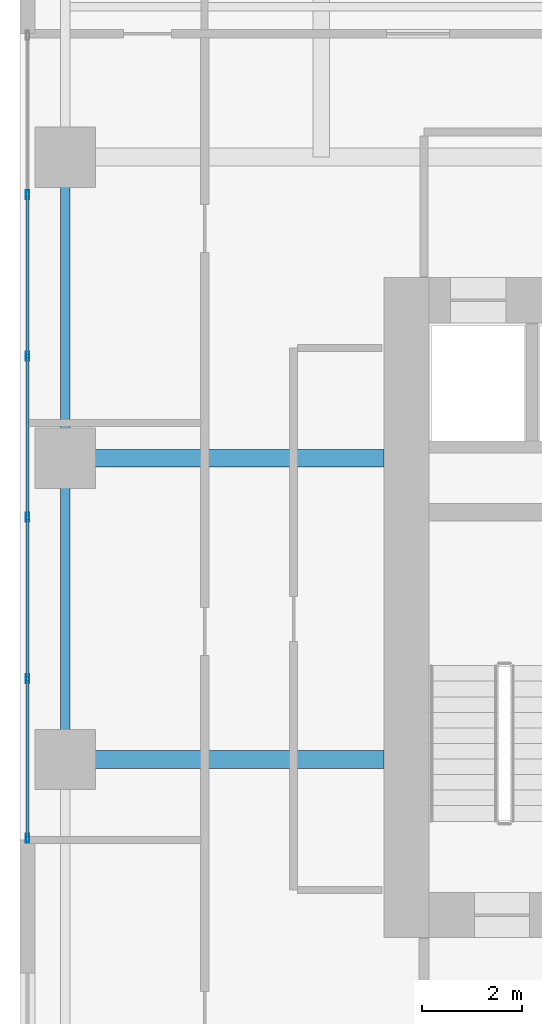
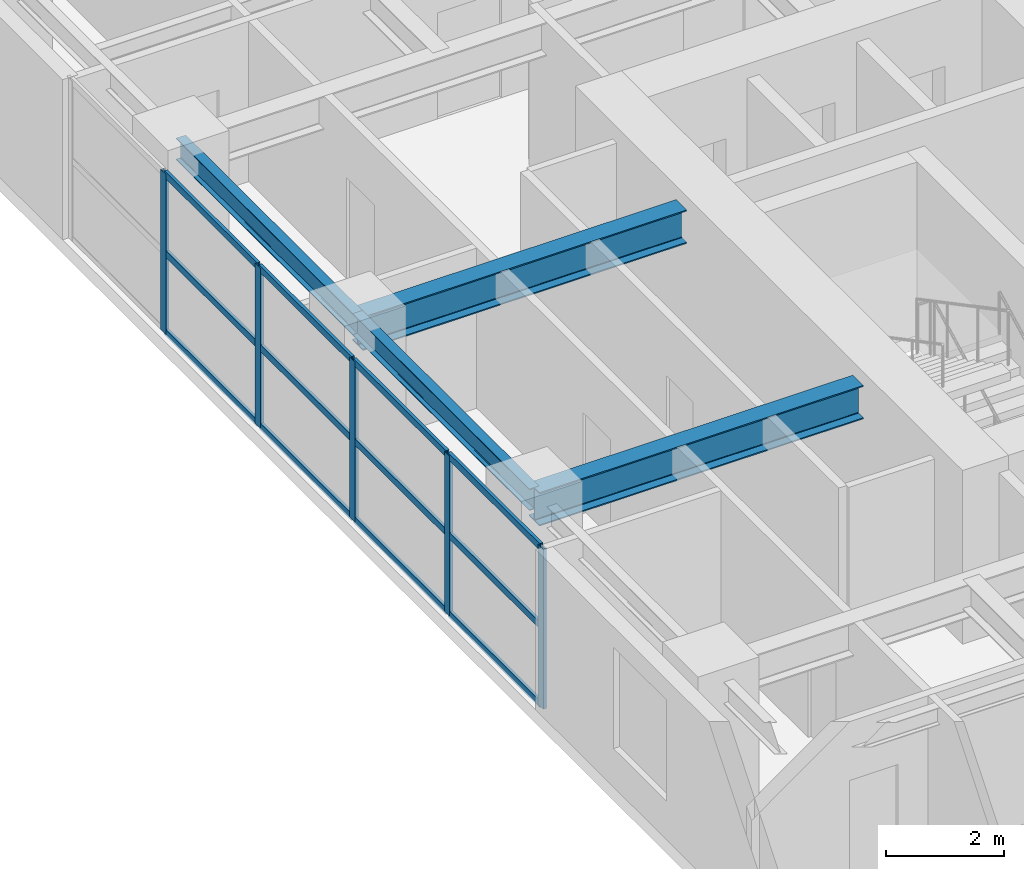
# One storey, part 5 of 24: 17 members, 4 beams, 1 element without a shape of its own.
"""IFC4 building model written with IfcOpenShell, lengths in metres."""

import ifcopenshell
import ifcopenshell.guid

model = None  # the IFC model being written
_history = None  # IfcOwnerHistory: only IFC2X3 demands one
_inside = {}  # id of a spatial element -> (the spatial element, [elements in it])
_under = {}  # id of a project, library or spatial element -> (it, [spatial elements below it])
_declared = {}  # id of a project -> (the project, [libraries it declares])
_typed = {}  # id of a type object -> (the type object, [elements of that type])
_made_of = {}  # id of a material, layer set ... -> (it, [elements and type objects made of it])


def new_model(schema):
    """Start an empty IFC model of exactly this schema.

    Asked for "IFC4X3", IfcOpenShell would pick the latest addendum, in which some entities
    have other attributes; the version numbers below select the first issue.
    IFC2X3 requires an IfcOwnerHistory on every rooted entity: one is made here for all.
    """
    global model, _history
    if schema == "IFC4X3":
        model = ifcopenshell.file(schema_version=(4, 3, 0, 0))
    else:
        model = ifcopenshell.file(schema=schema)
    _inside.clear()
    _under.clear()
    _declared.clear()
    _typed.clear()
    _made_of.clear()
    _history = None
    if model.schema == "IFC2X3":
        org = make("IfcOrganization", Name="unknown")
        user = make(
            "IfcPersonAndOrganization",
            ThePerson=make("IfcPerson", FamilyName="unknown"),
            TheOrganization=org,
        )
        app = make(
            "IfcApplication",
            ApplicationDeveloper=org,
            Version="unknown",
            ApplicationFullName="unknown",
            ApplicationIdentifier="unknown",
        )
        _history = make(
            "IfcOwnerHistory",
            OwningUser=user,
            OwningApplication=app,
            ChangeAction="ADDED",
            CreationDate=0,
        )
    return model


def make(cls, **values):
    """One entity of the class cls with the attributes given. An attribute that is None is left unset."""
    return model.create_entity(
        cls, **{name: value for name, value in values.items() if value is not None}
    )


def rooted(cls, **values):
    """An entity with a GlobalId (a new one), such as an element, a storey or a relation."""
    return make(cls, GlobalId=ifcopenshell.guid.new(), OwnerHistory=_history, **values)


def si_unit(unit_type, name, prefix=None):
    """IfcSIUnit, for example si_unit("LENGTHUNIT", "METRE", prefix="MILLI")."""
    return make("IfcSIUnit", UnitType=unit_type, Prefix=prefix, Name=name)


def assignment(units):
    """IfcUnitAssignment: the units of a project."""
    return None if units is None else make("IfcUnitAssignment", Units=units)


def point(xyz):
    """IfcCartesianPoint."""
    return None if xyz is None else make("IfcCartesianPoint", Coordinates=xyz)


def direction(xyz):
    """IfcDirection."""
    return None if xyz is None else make("IfcDirection", DirectionRatios=xyz)


def frame(location, z_axis=None, x_axis=None):
    """IfcAxis2Placement3D, a coordinate frame: its origin and axes. An axis left out is left unset."""
    return make(
        "IfcAxis2Placement3D",
        Location=point(location),
        Axis=direction(z_axis),
        RefDirection=direction(x_axis),
    )


def frame_2d(location, x_axis=None):
    """IfcAxis2Placement2D, a coordinate frame in the plane: its origin and x axis."""
    return make(
        "IfcAxis2Placement2D", Location=point(location), RefDirection=direction(x_axis)
    )


def origin():
    """The frame at (0, 0, 0) with its axes left unset."""
    return frame((0.0, 0.0, 0.0))


def origin_2d():
    """The frame at (0, 0) in the plane with its x axis left unset."""
    return frame_2d((0.0, 0.0))


def place(relative_to, where):
    """IfcLocalPlacement: puts the frame where relative to a parent placement (None: the world)."""
    return make(
        "IfcLocalPlacement", PlacementRelTo=relative_to, RelativePlacement=where
    )


def context(
    kind, dimensions, precision=None, world=None, true_north=None, identifier=None
):
    """IfcGeometricRepresentationContext, for example the 3D "Model" context."""
    return make(
        "IfcGeometricRepresentationContext",
        ContextIdentifier=identifier,
        ContextType=kind,
        CoordinateSpaceDimension=dimensions,
        Precision=precision,
        WorldCoordinateSystem=world,
        TrueNorth=true_north,
    )


def subcontext(parent, identifier, kind, view, scale=None):
    """IfcGeometricRepresentationSubContext, for example "Body" below "Model"."""
    return make(
        "IfcGeometricRepresentationSubContext",
        ContextIdentifier=identifier,
        ContextType=kind,
        ParentContext=parent,
        TargetScale=scale,
        TargetView=view,
    )


def project(units=None, contexts=None):
    """IfcProject with its units and contexts."""
    return rooted(
        "IfcProject",
        Name="project",
        RepresentationContexts=contexts,
        UnitsInContext=assignment(units),
    )


def spatial(cls, under=None, at=None, **own):
    """A site, building, storey or space (cls), placed at a placement, below another one or the project."""
    s = rooted(cls, ObjectPlacement=at, **own)
    if under is not None:
        _under.setdefault(under.id(), (under, []))[1].append(s)
    return s


def profile(cls, at=None, kind="AREA", **sizes):
    """A parametric profile (cls). Its sizes go by their IFC names, for example OverallWidth=200.0."""
    return make(cls, ProfileType=kind, Position=at, **sizes)


def hollow_rectangle(**sizes):
    """IfcRectangleHollowProfileDef."""
    return profile("IfcRectangleHollowProfileDef", **sizes)


def i_section(**sizes):
    """IfcIShapeProfileDef."""
    return profile("IfcIShapeProfileDef", **sizes)


def extrude(swept, where, along, depth):
    """IfcExtrudedAreaSolid: the profile swept, set in the frame where, extruded along a direction by depth."""
    return make(
        "IfcExtrudedAreaSolid",
        SweptArea=swept,
        Position=where,
        ExtrudedDirection=direction(along),
        Depth=depth,
    )


def shape(context_of_items, identifier, shape_type, items):
    """IfcShapeRepresentation: the items that make up one representation, for example the "Body"."""
    return make(
        "IfcShapeRepresentation",
        ContextOfItems=context_of_items,
        RepresentationIdentifier=identifier,
        RepresentationType=shape_type,
        Items=items,
    )


def source(mapping_origin, context_of_items, identifier, shape_type, items):
    """IfcRepresentationMap: a shape defined once, which mapped items show again and again."""
    return make(
        "IfcRepresentationMap",
        MappingOrigin=mapping_origin,
        MappedRepresentation=shape(context_of_items, identifier, shape_type, items),
    )


def transform(
    local_origin,
    x_axis=None,
    y_axis=None,
    z_axis=None,
    scale=None,
    scale2=None,
    scale3=None,
    uniform=True,
):
    """IfcCartesianTransformationOperator3D, or its non-uniform kind. x_axis, y_axis, z_axis: its Axis1, 2, 3."""
    if uniform:
        return make(
            "IfcCartesianTransformationOperator3D",
            Axis1=direction(x_axis),
            Axis2=direction(y_axis),
            LocalOrigin=point(local_origin),
            Scale=scale,
            Axis3=direction(z_axis),
        )
    return make(
        "IfcCartesianTransformationOperator3DnonUniform",
        Axis1=direction(x_axis),
        Axis2=direction(y_axis),
        LocalOrigin=point(local_origin),
        Scale=scale,
        Axis3=direction(z_axis),
        Scale2=scale2,
        Scale3=scale3,
    )


def mapped(mapping_source, mapping_target):
    """IfcMappedItem: shows the shape of a source again, moved by a transform."""
    return make(
        "IfcMappedItem", MappingSource=mapping_source, MappingTarget=mapping_target
    )


def material(Name=None, Category=None):
    """IfcMaterial."""
    return make("IfcMaterial", Name=Name, Category=Category)


def layer(
    of_material, thickness, ventilated=None, Name=None, Category=None, Priority=None
):
    """IfcMaterialLayer: one layer of a wall or slab, of a material (None: an air gap)."""
    return make(
        "IfcMaterialLayer",
        Material=of_material,
        LayerThickness=thickness,
        IsVentilated=ventilated,
        Name=Name,
        Category=Category,
        Priority=Priority,
    )


def layer_set(layers, Name=None):
    """IfcMaterialLayerSet."""
    return make("IfcMaterialLayerSet", MaterialLayers=layers, LayerSetName=Name)


def material_profile(
    of_material, cross_section, Name=None, Category=None, Priority=None
):
    """IfcMaterialProfile: a cross section and its material."""
    return make(
        "IfcMaterialProfile",
        Name=Name,
        Material=of_material,
        Profile=cross_section,
        Priority=Priority,
        Category=Category,
    )


def profile_set(profiles, Name=None, composite=None):
    """IfcMaterialProfileSet."""
    return make(
        "IfcMaterialProfileSet",
        Name=Name,
        MaterialProfiles=profiles,
        CompositeProfile=composite,
    )


def made_of(thing, what):
    """Note that an element or type object is made of a material, layer set ...; save() writes the relation."""
    if what is not None:
        _made_of.setdefault(what.id(), (what, []))[1].append(thing)
    return thing


def type_object(cls, material=None, **own):
    """A type object (cls), such as IfcWallType, which elements share."""
    return made_of(rooted(cls, **own), material)


def element(
    cls,
    number,
    at=None,
    inside=None,
    cuts=None,
    type_object=None,
    material=None,
    context=None,
    identifier="Body",
    shape_type=None,
    held_by="IfcProductDefinitionShape",
    body=None,
    shapes=None,
    **own,
):
    """One element of the class cls, such as IfcWall. Its Tag is "e" and its number.

    at: its placement. inside: the storey or other place that contains it. cuts: it is an
    opening in that element (IfcRelVoidsElement). A single representation is given by context,
    identifier, shape_type and body (its items); several are given by shapes. held_by: the class
    of the entity that holds the representations. save() writes the other relations.
    """
    e = rooted(cls, Tag="e%d" % number, ObjectPlacement=at, **own)
    if body is not None:
        shapes = [shape(context, identifier, shape_type, body)]
    if shapes is not None:
        e.Representation = make(held_by, Representations=shapes)
    if inside is not None:
        _inside.setdefault(inside.id(), (inside, []))[1].append(e)
    if cuts is not None:
        rooted(
            "IfcRelVoidsElement", RelatingBuildingElement=cuts, RelatedOpeningElement=e
        )
    if type_object is not None:
        _typed.setdefault(type_object.id(), (type_object, []))[1].append(e)
    return made_of(e, material)


def aggregate(whole, parts):
    """IfcRelAggregates: a whole, such as a stair, and the parts it consists of."""
    return rooted("IfcRelAggregates", RelatingObject=whole, RelatedObjects=parts)


def save(model, path):
    """Write the relations noted so far, then the file.

    IfcRelAggregates (storeys below a building ...), IfcRelContainedInSpatialStructure (elements
    in a storey), IfcRelDefinesByType, IfcRelAssociatesMaterial and IfcRelDeclares: one each for
    every whole, place, type object, material and project.
    """
    for whole, parts in _under.values():
        aggregate(whole, parts)
    for where, things in _inside.values():
        rooted(
            "IfcRelContainedInSpatialStructure",
            RelatedElements=things,
            RelatingStructure=where,
        )
    for kind, things in _typed.values():
        rooted("IfcRelDefinesByType", RelatedObjects=things, RelatingType=kind)
    for what, things in _made_of.values():
        rooted("IfcRelAssociatesMaterial", RelatedObjects=things, RelatingMaterial=what)
    for by, libraries in _declared.values():
        rooted("IfcRelDeclares", RelatingContext=by, RelatedDefinitions=libraries)
    model.write(path)


model = new_model("IFC4")

# Units and contexts
model_context = context("Model", 3, precision=1e-05, world=origin(), true_north=direction((0.0, 1.0)))
body_context = subcontext(model_context, "Body", "Model", "MODEL_VIEW")
ifc_project = project(units=[si_unit("LENGTHUNIT", "METRE"), si_unit("AREAUNIT", "SQUARE_METRE"), si_unit("VOLUMEUNIT", "CUBIC_METRE"), si_unit("PLANEANGLEUNIT", "RADIAN"), si_unit("MASSUNIT", "GRAM", prefix="KILO")], contexts=[model_context])

# Site, building, storey
site_placement = place(None, origin())
site = spatial("IfcSite", under=ifc_project, at=site_placement, CompositionType="ELEMENT")
building_placement = place(site_placement, origin())
building = spatial("IfcBuilding", under=site, at=building_placement, Name="Khoralis Quay Care Tower", CompositionType="ELEMENT")
storey_placement = place(building_placement, frame((0.0, 0.0, 62.10009765625)))
storey = spatial("IfcBuildingStorey", under=building, at=storey_placement, Name="L16", CompositionType="ELEMENT", Elevation=62.10009765625)

# Beams
ifc_material_1 = material(Name="Steel S355", Category="steel")
ifc_material_profile_1 = material_profile(ifc_material_1, i_section(OverallWidth=0.18994140625, OverallDepth=0.449951171875, WebThickness=0.009521484375, FlangeThickness=0.0146484375, FilletRadius=0.02099609375, at=origin_2d()), Name="Steel S355")
ifc_profile_set_1 = profile_set([ifc_material_profile_1], Name="Steel S355")
beam_type_1 = type_object("IfcBeamType", Name="BM-IPE450", PredefinedType="SPANDREL", material=ifc_profile_set_1)
shared_shape_1 = source(origin(), body_context, "Body", "SweptSolid", [
    extrude(i_section(OverallWidth=0.18994140625, OverallDepth=0.449951171875, WebThickness=0.009521484375, FlangeThickness=0.0146484375, FilletRadius=0.02099609375, at=origin_2d()), origin(), (0.0, 0.0, 1.0), 6.0),
])
for number, where, z_axis, x_axis, name in (
    (1, (0.89990234375, 18.0, 3.094970703125), (0.0, 1.0, 0.0), (-1.0, 0.0, 0.0), "BM-TSP-L16-15"),
    (2, (0.89990234375, 24.0, 3.094970703125), (0.0, 1.0, 0.0), (-1.0, 0.0, 0.0), "BM-TSP-L16-16"),
):
    element("IfcBeam", number, at=place(storey_placement, frame(where, z_axis=z_axis, x_axis=x_axis)), inside=storey, type_object=beam_type_1, Name=name, PredefinedType="SPANDREL", context=body_context, shape_type="MappedRepresentation", body=[
        mapped(shared_shape_1, transform((0.0, 0.0, 0.0), scale=1.0)),
    ])
ifc_material_profile_2 = material_profile(ifc_material_1, i_section(OverallWidth=0.35498046875, OverallDepth=0.695068359375, WebThickness=0.015380859375, FlangeThickness=0.02490234375, FilletRadius=0.02001953125, at=origin_2d()), Name="Steel S355")
ifc_profile_set_2 = profile_set([ifc_material_profile_2], Name="Steel S355")
beam_type_2 = type_object("IfcBeamType", Name="BM-W690X217", PredefinedType="BEAM", material=ifc_profile_set_2)
shared_shape_2 = source(origin(), body_context, "Body", "SweptSolid", [
    extrude(i_section(OverallWidth=0.35498046875, OverallDepth=0.695068359375, WebThickness=0.015380859375, FlangeThickness=0.02490234375, FilletRadius=0.02001953125, at=origin_2d()), origin(), (0.0, 0.0, 1.0), 6.35205078125),
])
for number, where, z_axis, x_axis, name in (
    (3, (0.89990234375, 18.0, 2.972412109375), (1.0, 0.0, 0.0), (0.0, 1.0, 0.0), "BM-TGXW-L16-180"),
    (4, (0.89990234375, 24.0, 2.972412109375), (1.0, 0.0, 0.0), (0.0, 1.0, 0.0), "BM-TGXW-L16-240"),
):
    element("IfcBeam", number, at=place(storey_placement, frame(where, z_axis=z_axis, x_axis=x_axis)), inside=storey, type_object=beam_type_2, Name=name, PredefinedType="BEAM", context=body_context, shape_type="MappedRepresentation", body=[
        mapped(shared_shape_2, transform((0.0, 0.0, 0.0), scale=1.0)),
    ])

# Curtain wall, members
ifc_material_2 = material(Name="Pale anodised aluminium", Category="aluminium")
ifc_layer = layer(ifc_material_2, 0.179931640625)
ifc_layer_set = layer_set([ifc_layer], Name="Pale anodised aluminium")
curtain_wall_type = type_object("IfcCurtainWallType", Name="CW-SYS-Z1", PredefinedType="NOTDEFINED", material=ifc_layer_set)
curtain_wall_placement = place(storey_placement, origin())
curtain_wall = element("IfcCurtainWall", 5, at=curtain_wall_placement, inside=storey, type_object=curtain_wall_type, Name="L16 Unitised Curtain Wall CW-L16-P1-E15", PredefinedType="NOTDEFINED")
ifc_material_profile_3 = material_profile(ifc_material_2, hollow_rectangle(XDim=0.06005859375, YDim=0.139892578125, WallThickness=0.00390625, at=origin_2d()), Name="Pale anodised aluminium")
ifc_profile_set_3 = profile_set([ifc_material_profile_3], Name="Pale anodised aluminium")
member_type_1 = type_object("IfcMemberType", Name="CW-TRN-140", PredefinedType="USERDEFINED", material=ifc_profile_set_3)
shared_shape_3 = source(origin(), body_context, "Body", "SweptSolid", [
    extrude(hollow_rectangle(XDim=0.06005859375, YDim=0.139892578125, WallThickness=0.00390625, at=origin_2d()), origin(), (0.0, 0.0, 1.0), 3.1220703125),
])
member_1_placement = place(storey_placement, frame((0.14990234375, 19.58203125, 0.02978515625), z_axis=(0.0, -1.0, 0.0), x_axis=(1.0, 0.0, 0.0)))
member_1 = element("IfcMember", 6, at=member_1_placement, type_object=member_type_1, Name="CW1 transom 5.1", ObjectType="TRANSOM", PredefinedType="USERDEFINED", context=body_context, shape_type="MappedRepresentation", body=[
    mapped(shared_shape_3, transform((0.0, 0.0, 0.0), scale=1.0)),
])
member_2_placement = place(storey_placement, frame((0.14990234375, 19.58203125, 1.659912109375), z_axis=(0.0, -1.0, 0.0), x_axis=(1.0, 0.0, 0.0)))
member_2 = element("IfcMember", 7, at=member_2_placement, type_object=member_type_1, Name="CW1 transom 5.2", ObjectType="TRANSOM", PredefinedType="USERDEFINED", context=body_context, shape_type="MappedRepresentation", body=[
    mapped(shared_shape_3, transform((0.0, 0.0, 0.0), scale=1.0)),
])
member_3_placement = place(storey_placement, frame((0.14990234375, 19.58203125, 3.289794921875), z_axis=(0.0, -1.0, 0.0), x_axis=(1.0, 0.0, 0.0)))
member_3 = element("IfcMember", 8, at=member_3_placement, type_object=member_type_1, Name="CW1 transom 5.3", ObjectType="TRANSOM", PredefinedType="USERDEFINED", context=body_context, shape_type="MappedRepresentation", body=[
    mapped(shared_shape_3, transform((0.0, 0.0, 0.0), scale=1.0)),
])
shared_shape_4 = source(origin(), body_context, "Body", "SweptSolid", [
    extrude(hollow_rectangle(XDim=0.06005859375, YDim=0.139892578125, WallThickness=0.00390625, at=origin_2d()), origin(), (0.0, 0.0, 1.0), 3.15185546875),
])
member_4_placement = place(storey_placement, frame((0.14990234375, 22.7939453125, 0.02978515625), z_axis=(0.0, -1.0, 0.0), x_axis=(1.0, 0.0, 0.0)))
member_4 = element("IfcMember", 9, at=member_4_placement, type_object=member_type_1, Name="CW1 transom 4.1", ObjectType="TRANSOM", PredefinedType="USERDEFINED", context=body_context, shape_type="MappedRepresentation", body=[
    mapped(shared_shape_4, transform((0.0, 0.0, 0.0), scale=1.0)),
])
member_5_placement = place(storey_placement, frame((0.14990234375, 22.7939453125, 1.659912109375), z_axis=(0.0, -1.0, 0.0), x_axis=(1.0, 0.0, 0.0)))
member_5 = element("IfcMember", 10, at=member_5_placement, type_object=member_type_1, Name="CW1 transom 4.2", ObjectType="TRANSOM", PredefinedType="USERDEFINED", context=body_context, shape_type="MappedRepresentation", body=[
    mapped(shared_shape_4, transform((0.0, 0.0, 0.0), scale=1.0)),
])
member_6_placement = place(storey_placement, frame((0.14990234375, 22.7939453125, 3.289794921875), z_axis=(0.0, -1.0, 0.0), x_axis=(1.0, 0.0, 0.0)))
member_6 = element("IfcMember", 11, at=member_6_placement, type_object=member_type_1, Name="CW1 transom 4.3", ObjectType="TRANSOM", PredefinedType="USERDEFINED", context=body_context, shape_type="MappedRepresentation", body=[
    mapped(shared_shape_4, transform((0.0, 0.0, 0.0), scale=1.0)),
])
shared_shape_5 = source(origin(), body_context, "Body", "SweptSolid", [
    extrude(hollow_rectangle(XDim=0.06005859375, YDim=0.139892578125, WallThickness=0.00390625, at=origin_2d()), origin(), (0.0, 0.0, 1.0), 3.152099609375),
])
member_7_placement = place(storey_placement, frame((0.14990234375, 29.218017578125, 0.02978515625), z_axis=(0.0, -1.0, 0.0), x_axis=(1.0, 0.0, 0.0)))
member_7 = element("IfcMember", 12, at=member_7_placement, type_object=member_type_1, Name="CW1 transom 2.1", ObjectType="TRANSOM", PredefinedType="USERDEFINED", context=body_context, shape_type="MappedRepresentation", body=[
    mapped(shared_shape_5, transform((0.0, 0.0, 0.0), scale=1.0)),
])
member_8_placement = place(storey_placement, frame((0.14990234375, 29.218017578125, 1.659912109375), z_axis=(0.0, -1.0, 0.0), x_axis=(1.0, 0.0, 0.0)))
member_8 = element("IfcMember", 13, at=member_8_placement, type_object=member_type_1, Name="CW1 transom 2.2", ObjectType="TRANSOM", PredefinedType="USERDEFINED", context=body_context, shape_type="MappedRepresentation", body=[
    mapped(shared_shape_5, transform((0.0, 0.0, 0.0), scale=1.0)),
])
member_9_placement = place(storey_placement, frame((0.14990234375, 29.218017578125, 3.289794921875), z_axis=(0.0, -1.0, 0.0), x_axis=(1.0, 0.0, 0.0)))
member_9 = element("IfcMember", 14, at=member_9_placement, type_object=member_type_1, Name="CW1 transom 2.3", ObjectType="TRANSOM", PredefinedType="USERDEFINED", context=body_context, shape_type="MappedRepresentation", body=[
    mapped(shared_shape_5, transform((0.0, 0.0, 0.0), scale=1.0)),
])
member_10_placement = place(storey_placement, frame((0.14990234375, 26.006103515625, 0.02978515625), z_axis=(0.0, -1.0, 0.0), x_axis=(1.0, 0.0, 0.0)))
member_10 = element("IfcMember", 15, at=member_10_placement, type_object=member_type_1, Name="CW1 transom 3.1", ObjectType="TRANSOM", PredefinedType="USERDEFINED", context=body_context, shape_type="MappedRepresentation", body=[
    mapped(shared_shape_5, transform((0.0, 0.0, 0.0), scale=1.0)),
])
member_11_placement = place(storey_placement, frame((0.14990234375, 26.006103515625, 1.659912109375), z_axis=(0.0, -1.0, 0.0), x_axis=(1.0, 0.0, 0.0)))
member_11 = element("IfcMember", 16, at=member_11_placement, type_object=member_type_1, Name="CW1 transom 3.2", ObjectType="TRANSOM", PredefinedType="USERDEFINED", context=body_context, shape_type="MappedRepresentation", body=[
    mapped(shared_shape_5, transform((0.0, 0.0, 0.0), scale=1.0)),
])
member_12_placement = place(storey_placement, frame((0.14990234375, 26.006103515625, 3.289794921875), z_axis=(0.0, -1.0, 0.0), x_axis=(1.0, 0.0, 0.0)))
member_12 = element("IfcMember", 17, at=member_12_placement, type_object=member_type_1, Name="CW1 transom 3.3", ObjectType="TRANSOM", PredefinedType="USERDEFINED", context=body_context, shape_type="MappedRepresentation", body=[
    mapped(shared_shape_5, transform((0.0, 0.0, 0.0), scale=1.0)),
])
ifc_material_profile_4 = material_profile(ifc_material_2, hollow_rectangle(XDim=0.06494140625, YDim=0.179931640625, WallThickness=0.00390625, at=origin_2d()), Name="Pale anodised aluminium")
ifc_profile_set_4 = profile_set([ifc_material_profile_4], Name="Pale anodised aluminium")
member_type_2 = type_object("IfcMemberType", Name="CW-MUL-180", PredefinedType="MULLION", material=ifc_profile_set_4)
shared_shape_6 = source(origin(), body_context, "Body", "SweptSolid", [
    extrude(hollow_rectangle(XDim=0.06494140625, YDim=0.179931640625, WallThickness=0.00390625, at=origin_2d()), origin(), (0.0, 0.0, 1.0), 3.31982421875),
])
member_13_placement = place(storey_placement, frame((0.14990234375, 29.248046875, 0.0), z_axis=(0.0, 0.0, 1.0), x_axis=(1.0, 0.0, 0.0)))
member_13 = element("IfcMember", 18, at=member_13_placement, type_object=member_type_2, Name="CW1 mullion 2", PredefinedType="MULLION", context=body_context, shape_type="MappedRepresentation", body=[
    mapped(shared_shape_6, transform((0.0, 0.0, 0.0), scale=1.0)),
])
member_14_placement = place(storey_placement, frame((0.14990234375, 26.035888671875, 0.0), z_axis=(0.0, 0.0, 1.0), x_axis=(1.0, 0.0, 0.0)))
member_14 = element("IfcMember", 19, at=member_14_placement, type_object=member_type_2, Name="CW1 mullion 3", PredefinedType="MULLION", context=body_context, shape_type="MappedRepresentation", body=[
    mapped(shared_shape_6, transform((0.0, 0.0, 0.0), scale=1.0)),
])
member_15_placement = place(storey_placement, frame((0.14990234375, 22.823974609375, 0.0), z_axis=(0.0, 0.0, 1.0), x_axis=(1.0, 0.0, 0.0)))
member_15 = element("IfcMember", 20, at=member_15_placement, type_object=member_type_2, Name="CW1 mullion 4", PredefinedType="MULLION", context=body_context, shape_type="MappedRepresentation", body=[
    mapped(shared_shape_6, transform((0.0, 0.0, 0.0), scale=1.0)),
])
member_16_placement = place(storey_placement, frame((0.14990234375, 19.612060546875, 0.0), z_axis=(0.0, 0.0, 1.0), x_axis=(1.0, 0.0, 0.0)))
member_16 = element("IfcMember", 21, at=member_16_placement, type_object=member_type_2, Name="CW1 mullion 5", PredefinedType="MULLION", context=body_context, shape_type="MappedRepresentation", body=[
    mapped(shared_shape_6, transform((0.0, 0.0, 0.0), scale=1.0)),
])
member_17_placement = place(storey_placement, frame((0.14990234375, 16.429931640625, 0.0), z_axis=(0.0, 0.0, 1.0), x_axis=(1.0, 0.0, 0.0)))
member_17 = element("IfcMember", 22, at=member_17_placement, type_object=member_type_2, Name="CW1 mullion 6", PredefinedType="MULLION", context=body_context, shape_type="MappedRepresentation", body=[
    mapped(shared_shape_6, transform((0.0, 0.0, 0.0), scale=1.0)),
])
aggregate(curtain_wall, [member_13, member_14, member_15, member_16, member_17, member_7, member_8, member_9, member_10, member_11, member_12, member_4, member_5, member_6, member_1, member_2, member_3])

save(model, "model.ifc")
